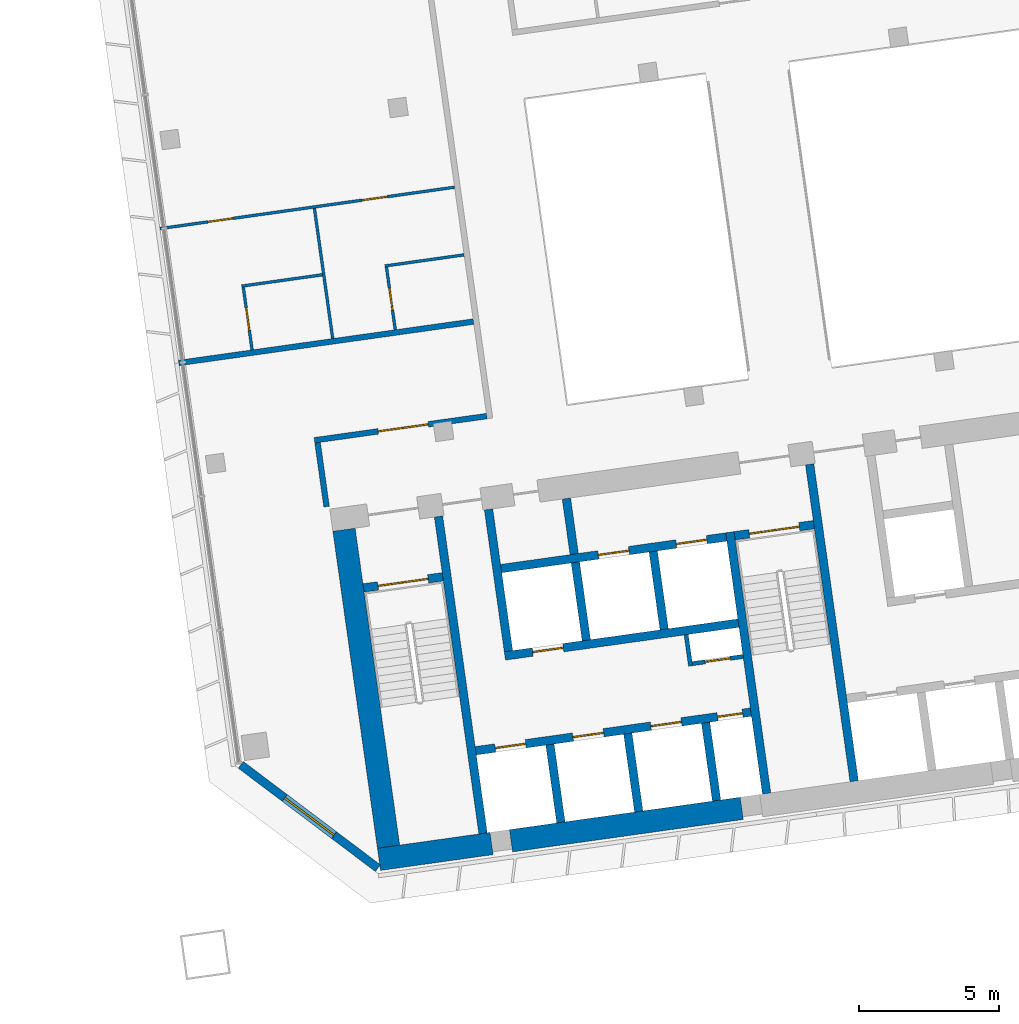
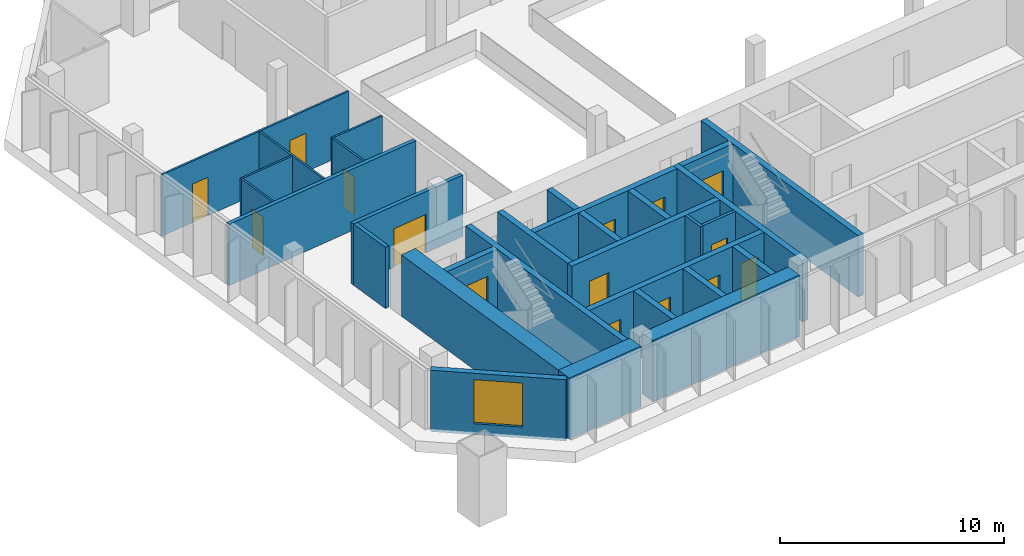
# One storey, part 18 of 25: 30 walls, 15 doors, 1 window, 16 openings.
"""IFC4 building model written with IfcOpenShell, lengths in metres."""

from ifc_helpers import new_model, si_unit, direction, frame, frame_2d, origin, place, context, subcontext, project, spatial, rectangle, extrude, material, layer, layer_set, type_object, element, fill, save


model = new_model("IFC4")

# Units and contexts
model_context = context("Model", 3, precision=1e-05, world=origin(), true_north=direction((0.0, 1.0)))
body_context = subcontext(model_context, "Body", "Model", "MODEL_VIEW")
ifc_project = project(units=[si_unit("LENGTHUNIT", "METRE"), si_unit("AREAUNIT", "SQUARE_METRE"), si_unit("VOLUMEUNIT", "CUBIC_METRE"), si_unit("PLANEANGLEUNIT", "RADIAN"), si_unit("MASSUNIT", "GRAM", prefix="KILO")], contexts=[model_context])

# Site, building, storey
site_placement = place(None, origin())
site = spatial("IfcSite", under=ifc_project, at=site_placement, CompositionType="ELEMENT")
building_placement = place(site_placement, origin())
building = spatial("IfcBuilding", under=site, at=building_placement, Name="Mirante Cascada Hotel Towers", CompositionType="ELEMENT")
storey_placement = place(building_placement, frame((0.0, 0.0, 129.1)))
storey = spatial("IfcBuildingStorey", under=building, at=storey_placement, Name="L29", CompositionType="ELEMENT", Elevation=129.1)

# Wall, opening, door
ifc_material_1 = material(Name="Fire-rated plasterboard on metal studs")
ifc_layer_1 = layer(ifc_material_1, 0.2)
ifc_layer_set_1 = layer_set([ifc_layer_1], Name="Compartment wall 200 EI 120")
wall_type_1 = type_object("IfcWallType", Name="Compartment wall 200 EI 120", PredefinedType="PARTITIONING", material=ifc_layer_set_1)
wall_1_placement = place(storey_placement, frame((40.97, -3.8917, 0.0), z_axis=(0.0, 0.0, 1.0), x_axis=(-0.9902695, -0.1391629, 0.0)))
wall_1 = element("IfcWall", 1, at=wall_1_placement, inside=storey, type_object=wall_type_1, Name="Wall 2-L29-03", PredefinedType="PARTITIONING", context=body_context, shape_type="SweptSolid", body=[
    extrude(rectangle(XDim=6.1999, YDim=0.2, at=frame_2d((3.1, 0.0))), origin(), (0.0, 0.0, 1.0), 3.35),
])
opening_1_placement = place(wall_1_placement, frame((2.1, 0.0, 0.0)))
opening_1 = element("IfcOpeningElement", 2, at=opening_1_placement, cuts=wall_1, Name="Opening D2-L29-01", PredefinedType="OPENING", context=body_context, shape_type="SweptSolid", body=[
    extrude(rectangle(XDim=1.8, YDim=2.1, at=frame_2d((0.9, 1.05))), frame((0.0, 0.1, 0.0), z_axis=(0.0, -1.0, 0.0), x_axis=(1.0, 0.0, 0.0)), (0.0, 0.0, 1.0), 0.2),
])
ifc_material_2 = material(Name="Fire-rated timber door leaf", Category="wood")
door_type_1 = type_object("IfcDoorType", Name="Suite double door DG2 1800x2100 EI 60", OperationType="DOUBLE_DOOR_SINGLE_SWING", PredefinedType="DOOR", material=ifc_material_2)
door_1_placement = place(opening_1_placement, origin())
door_1 = element("IfcDoor", 3, at=door_1_placement, inside=storey, type_object=door_type_1, Name="Door D2-L29-01", OperationType="DOUBLE_DOOR_SINGLE_SWING", OverallHeight=2.1, OverallWidth=1.8, PredefinedType="DOOR", context=body_context, shape_type="SweptSolid", body=[
    extrude(rectangle(XDim=0.895, YDim=2.1, at=frame_2d((0.4475, 1.05))), frame((0.0, 0.025, 0.0), z_axis=(0.0, -1.0, 0.0), x_axis=(1.0, 0.0, 0.0)), (0.0, 0.0, 1.0), 0.05),
    extrude(rectangle(XDim=0.895, YDim=2.1, at=frame_2d((1.3525, 1.05))), frame((0.0, 0.025, 0.0), z_axis=(0.0, -1.0, 0.0), x_axis=(1.0, 0.0, 0.0)), (0.0, 0.0, 1.0), 0.05),
])
fill(opening_1, door_1)

# Walls
wall_2_placement = place(storey_placement, frame((30.0, -2.0, 0.0), z_axis=(0.0, 0.0, 1.0), x_axis=(0.9902684, 0.1391704, 0.0)))
element("IfcWall", 4, at=wall_2_placement, inside=storey, type_object=wall_type_1, Name="Wall 2-L29-04", PredefinedType="PARTITIONING", context=body_context, shape_type="SweptSolid", body=[
    extrude(rectangle(XDim=10.6, YDim=0.2, at=frame_2d((5.3, 0.0))), origin(), (0.0, 0.0, 1.0), 3.35),
])
wall_3_placement = place(storey_placement, frame((35.2634, -7.1173, 0.0), z_axis=(0.0, 0.0, 1.0), x_axis=(-0.1391749, 0.9902678, 0.0)))
element("IfcWall", 5, at=wall_3_placement, inside=storey, type_object=wall_type_1, Name="Wall 2-L29-24", PredefinedType="PARTITIONING", context=body_context, shape_type="SweptSolid", body=[
    extrude(rectangle(XDim=2.3, YDim=0.2, at=frame_2d((1.15, 0.0))), origin(), (0.0, 0.0, 1.0), 3.35),
])
ifc_material_3 = material(Name="Masonry block", Category="masonry")
ifc_layer_2 = layer(ifc_material_3, 0.15)
ifc_layer_set_2 = layer_set([ifc_layer_2], Name="Core room partition 150 block EI 30")
wall_type_2 = type_object("IfcWallType", Name="Core room partition 150 block EI 30", PredefinedType="PARTITIONING", material=ifc_layer_set_2)
wall_4_placement = place(storey_placement, frame((48.2295, -12.793, 0.0), z_axis=(0.0, 0.0, 1.0), x_axis=(-0.1391935, 0.9902652, 0.0)))
element("IfcWall", 6, at=wall_4_placement, inside=storey, type_object=wall_type_2, Name="Core wall partition T2 L29 2", PredefinedType="PARTITIONING", context=body_context, shape_type="SweptSolid", body=[
    extrude(rectangle(XDim=1.1251, YDim=0.15, at=frame_2d((0.5626, 0.0))), origin(), (0.0, 0.0, 1.0), 3.35),
])

# Wall, opening, door
wall_5_placement = place(storey_placement, frame((48.2933, -12.7083, 0.0), z_axis=(0.0, 0.0, 1.0), x_axis=(0.990268, 0.1391734, 0.0)))
wall_5 = element("IfcWall", 7, at=wall_5_placement, inside=storey, type_object=wall_type_2, Name="Core wall partition T2 L29 3", PredefinedType="PARTITIONING", context=body_context, shape_type="SweptSolid", body=[
    extrude(rectangle(XDim=1.8251, YDim=0.15, at=frame_2d((0.9126, 0.0))), origin(), (0.0, 0.0, 1.0), 3.35),
])
opening_2_placement = place(wall_5_placement, frame((0.4625, 0.0, 0.0)))
opening_2 = element("IfcOpeningElement", 8, at=opening_2_placement, cuts=wall_5, Name="Opening D2-29-C23", PredefinedType="OPENING", context=body_context, shape_type="SweptSolid", body=[
    extrude(rectangle(XDim=0.9, YDim=2.1, at=frame_2d((0.45, 1.05))), frame((0.0, 0.075, 0.0), z_axis=(0.0, -1.0, 0.0), x_axis=(1.0, 0.0, 0.0)), (0.0, 0.0, 1.0), 0.15),
])
ifc_material_4 = material(Name="Hollow metal fire door leaf")
door_type_2 = type_object("IfcDoorType", Name="Fire door 900x2100 FD60", OperationType="NOTDEFINED", PredefinedType="DOOR", material=ifc_material_4)
door_2_placement = place(opening_2_placement, frame((0.9, 0.0, 0.0), z_axis=(0.0, 0.0, 1.0), x_axis=(-1.0, 0.0, 0.0)))
door_2 = element("IfcDoor", 9, at=door_2_placement, inside=storey, type_object=door_type_2, Name="Riser door T2 L29 23", OperationType="SINGLE_SWING_RIGHT", OverallHeight=2.1, OverallWidth=0.9, PredefinedType="DOOR", context=body_context, shape_type="SweptSolid", body=[
    extrude(rectangle(XDim=0.9, YDim=2.1, at=frame_2d((0.45, 1.05))), frame((0.0, 0.025, 0.0), z_axis=(0.0, -1.0, 0.0), x_axis=(1.0, 0.0, 0.0)), (0.0, 0.0, 1.0), 0.05),
])
fill(opening_2, door_2)

# Walls
ifc_material_5 = material(Name="Masonry block", Category="masonry")
ifc_layer_3 = layer(ifc_material_5, 0.3)
ifc_layer_set_3 = layer_set([ifc_layer_3], Name="Core wall 300 block EI 120")
wall_type_3 = type_object("IfcWallType", Name="Core wall 300 block EI 120", PredefinedType="PARTITIONING", material=ifc_layer_set_3)
wall_6_placement = place(storey_placement, frame((44.0843, -8.8061, 0.0), z_axis=(0.0, 0.0, 1.0), x_axis=(-0.1391951, 0.990265, 0.0)))
element("IfcWall", 10, at=wall_6_placement, inside=storey, type_object=wall_type_3, Name="Core wall partition T2 L29 1", PredefinedType="PARTITIONING", context=body_context, shape_type="SweptSolid", body=[
    extrude(rectangle(XDim=2.0001, YDim=0.3, at=frame_2d((1.0001, 0.0))), origin(), (0.0, 0.0, 1.0), 3.35),
])
ifc_material_6 = material(Name="Plasterboard on metal studs")
ifc_layer_4 = layer(ifc_material_6, 0.1)
ifc_layer_set_4 = layer_set([ifc_layer_4], Name="Partition 100")
wall_type_4 = type_object("IfcWallType", Name="Partition 100", PredefinedType="PARTITIONING", material=ifc_layer_set_4)
wall_7_placement = place(storey_placement, frame((35.1125, 1.1421, 0.0), z_axis=(0.0, 0.0, 1.0), x_axis=(-0.9902683, -0.1391714, 0.0)))
element("IfcWall", 11, at=wall_7_placement, inside=storey, type_object=wall_type_4, Name="Wall 2-L29-05", PredefinedType="PARTITIONING", context=body_context, shape_type="SweptSolid", body=[
    extrude(rectangle(XDim=2.9, YDim=0.1, at=frame_2d((1.45, 0.0))), origin(), (0.0, 0.0, 1.0), 3.35),
])
wall_8_placement = place(storey_placement, frame((37.3406, 1.4552, 0.0), z_axis=(0.0, 0.0, 1.0), x_axis=(0.9902649, 0.1391957, 0.0)))
element("IfcWall", 12, at=wall_8_placement, inside=storey, type_object=wall_type_4, Name="Wall 2-L29-06", PredefinedType="PARTITIONING", context=body_context, shape_type="SweptSolid", body=[
    extrude(rectangle(XDim=2.8499, YDim=0.1, at=frame_2d((1.425, 0.0))), origin(), (0.0, 0.0, 1.0), 3.35),
])

# Wall, openings, doors
wall_9_placement = place(storey_placement, frame((39.8242, 4.2615, 0.0), z_axis=(0.0, 0.0, 1.0), x_axis=(-0.9902686, -0.1391691, 0.0)))
wall_9 = element("IfcWall", 13, at=wall_9_placement, inside=storey, type_object=wall_type_4, Name="Wall 2-L29-07", PredefinedType="PARTITIONING", context=body_context, shape_type="SweptSolid", body=[
    extrude(rectangle(XDim=10.6001, YDim=0.1, at=frame_2d((5.3, 0.0))), origin(), (0.0, 0.0, 1.0), 3.35),
])
opening_3_placement = place(wall_9_placement, frame((7.975, 0.0, 0.0)))
opening_3 = element("IfcOpeningElement", 14, at=opening_3_placement, cuts=wall_9, Name="Opening D2-L29-02", PredefinedType="OPENING", context=body_context, shape_type="SweptSolid", body=[
    extrude(rectangle(XDim=0.9, YDim=2.1, at=frame_2d((0.45, 1.05))), frame((0.0, 0.05, 0.0), z_axis=(0.0, -1.0, 0.0), x_axis=(1.0, 0.0, 0.0)), (0.0, 0.0, 1.0), 0.1),
])
opening_4_placement = place(wall_9_placement, frame((2.425, 0.0, 0.0)))
opening_4 = element("IfcOpeningElement", 15, at=opening_4_placement, cuts=wall_9, Name="Opening D2-L29-03", PredefinedType="OPENING", context=body_context, shape_type="SweptSolid", body=[
    extrude(rectangle(XDim=0.9, YDim=2.1, at=frame_2d((0.45, 1.05))), frame((0.0, 0.05, 0.0), z_axis=(0.0, -1.0, 0.0), x_axis=(1.0, 0.0, 0.0)), (0.0, 0.0, 1.0), 0.1),
])
ifc_material_7 = material(Name="Timber door leaf", Category="wood")
door_type_3 = type_object("IfcDoorType", Name="Room door DG3 900x2100", OperationType="SINGLE_SWING_LEFT", PredefinedType="DOOR", material=ifc_material_7)
door_3_placement = place(opening_3_placement, frame((0.9, 0.0, 0.0), z_axis=(0.0, 0.0, 1.0), x_axis=(-1.0, 0.0, 0.0)))
door_3 = element("IfcDoor", 16, at=door_3_placement, inside=storey, type_object=door_type_3, Name="Door D2-L29-02", OperationType="SINGLE_SWING_RIGHT", OverallHeight=2.1, OverallWidth=0.9, PredefinedType="DOOR", context=body_context, shape_type="SweptSolid", body=[
    extrude(rectangle(XDim=0.9, YDim=2.1, at=frame_2d((0.45, 1.05))), frame((0.0, 0.025, 0.0), z_axis=(0.0, -1.0, 0.0), x_axis=(1.0, 0.0, 0.0)), (0.0, 0.0, 1.0), 0.05),
])
fill(opening_3, door_3)
door_4_placement = place(opening_4_placement, frame((0.9, 0.0, 0.0), z_axis=(0.0, 0.0, 1.0), x_axis=(-1.0, 0.0, 0.0)))
door_4 = element("IfcDoor", 17, at=door_4_placement, inside=storey, type_object=door_type_3, Name="Door D2-L29-03", OperationType="SINGLE_SWING_RIGHT", OverallHeight=2.1, OverallWidth=0.9, PredefinedType="DOOR", context=body_context, shape_type="SweptSolid", body=[
    extrude(rectangle(XDim=0.9, YDim=2.1, at=frame_2d((0.45, 1.05))), frame((0.0, 0.025, 0.0), z_axis=(0.0, -1.0, 0.0), x_axis=(1.0, 0.0, 0.0)), (0.0, 0.0, 1.0), 0.05),
])
fill(opening_4, door_4)

# Wall, opening, door
wall_10_placement = place(storey_placement, frame((32.2972, 0.6959, 0.0), z_axis=(0.0, 0.0, 1.0), x_axis=(0.1391561, -0.9902705, 0.0)))
wall_10 = element("IfcWall", 18, at=wall_10_placement, inside=storey, type_object=wall_type_4, Name="Wall 2-L29-23", PredefinedType="PARTITIONING", context=body_context, shape_type="SweptSolid", body=[
    extrude(rectangle(XDim=2.25, YDim=0.1, at=frame_2d((1.125, 0.0))), origin(), (0.0, 0.0, 1.0), 3.35),
])
opening_5_placement = place(wall_10_placement, frame((0.75, 0.0, 0.0)))
opening_5 = element("IfcOpeningElement", 19, at=opening_5_placement, cuts=wall_10, Name="Opening D2-L29-18", PredefinedType="OPENING", context=body_context, shape_type="SweptSolid", body=[
    extrude(rectangle(XDim=0.8, YDim=2.1, at=frame_2d((0.4, 1.05))), frame((0.0, 0.05, 0.0), z_axis=(0.0, -1.0, 0.0), x_axis=(1.0, 0.0, 0.0)), (0.0, 0.0, 1.0), 0.1),
])
ifc_material_8 = material(Name="Timber door leaf", Category="wood")
door_type_4 = type_object("IfcDoorType", Name="Bathroom door DG4 800x2100", OperationType="SINGLE_SWING_LEFT", PredefinedType="DOOR", material=ifc_material_8)
door_5_placement = place(opening_5_placement, origin())
door_5 = element("IfcDoor", 20, at=door_5_placement, inside=storey, type_object=door_type_4, Name="Door D2-L29-18", OperationType="SINGLE_SWING_LEFT", OverallHeight=2.1, OverallWidth=0.8, PredefinedType="DOOR", context=body_context, shape_type="SweptSolid", body=[
    extrude(rectangle(XDim=0.8, YDim=2.1, at=frame_2d((0.4, 1.05))), frame((0.0, 0.025, 0.0), z_axis=(0.0, -1.0, 0.0), x_axis=(1.0, 0.0, 0.0)), (0.0, 0.0, 1.0), 0.05),
])
fill(opening_5, door_5)

# Wall
wall_11_placement = place(storey_placement, frame((35.4821, -1.1286, 0.0), z_axis=(0.0, 0.0, 1.0), x_axis=(-0.139173, 0.9902681, 0.0)))
element("IfcWall", 21, at=wall_11_placement, inside=storey, type_object=wall_type_4, Name="Wall 2-L29-26", PredefinedType="PARTITIONING", context=body_context, shape_type="SweptSolid", body=[
    extrude(rectangle(XDim=4.6834, YDim=0.1, at=frame_2d((2.3417, 0.0))), origin(), (0.0, 0.0, 1.0), 3.35),
])

# Wall, opening, door
wall_12_placement = place(storey_placement, frame((37.397, 1.4127, 0.0), z_axis=(0.0, 0.0, 1.0), x_axis=(0.1391997, -0.9902643, 0.0)))
wall_12 = element("IfcWall", 22, at=wall_12_placement, inside=storey, type_object=wall_type_4, Name="Wall 2-L29-27", PredefinedType="PARTITIONING", context=body_context, shape_type="SweptSolid", body=[
    extrude(rectangle(XDim=2.25, YDim=0.1, at=frame_2d((1.125, 0.0))), origin(), (0.0, 0.0, 1.0), 3.35),
])
opening_6_placement = place(wall_12_placement, frame((0.75, 0.0, 0.0)))
opening_6 = element("IfcOpeningElement", 23, at=opening_6_placement, cuts=wall_12, Name="Opening D2-L29-20", PredefinedType="OPENING", context=body_context, shape_type="SweptSolid", body=[
    extrude(rectangle(XDim=0.8, YDim=2.1, at=frame_2d((0.4, 1.05))), frame((0.0, 0.05, 0.0), z_axis=(0.0, -1.0, 0.0), x_axis=(1.0, 0.0, 0.0)), (0.0, 0.0, 1.0), 0.1),
])
door_6_placement = place(opening_6_placement, origin())
door_6 = element("IfcDoor", 24, at=door_6_placement, inside=storey, type_object=door_type_4, Name="Door D2-L29-20", OperationType="SINGLE_SWING_LEFT", OverallHeight=2.1, OverallWidth=0.8, PredefinedType="DOOR", context=body_context, shape_type="SweptSolid", body=[
    extrude(rectangle(XDim=0.8, YDim=2.1, at=frame_2d((0.4, 1.05))), frame((0.0, 0.025, 0.0), z_axis=(0.0, -1.0, 0.0), x_axis=(1.0, 0.0, 0.0)), (0.0, 0.0, 1.0), 0.05),
])
fill(opening_6, door_6)

# Wall, opening, window
ifc_material_9 = material(Name="Precast concrete C40/50", Category="concrete")
ifc_layer_5 = layer(ifc_material_9, 0.3)
ifc_layer_set_5 = layer_set([ifc_layer_5], Name="Precast concrete C40/50 cladding wall 300")
wall_type_5 = type_object("IfcWallType", Name="Precast concrete C40/50 cladding wall 300", PredefinedType="STANDARD", material=ifc_layer_set_5)
wall_13_placement = place(storey_placement, frame((32.2074, -16.3138, 0.0), z_axis=(0.0, 0.0, 1.0), x_axis=(0.7986362, -0.6018141, 0.0)))
wall_13 = element("IfcWall", 25, at=wall_13_placement, inside=storey, type_object=wall_type_5, Name="Corner cladding wall T2 L29 inner rear", PredefinedType="STANDARD", context=body_context, shape_type="SweptSolid", body=[
    extrude(rectangle(XDim=6.1157, YDim=0.3, at=frame_2d((3.0578, 0.0))), origin(), (0.0, 0.0, 1.0), 3.35),
])
opening_7_placement = place(wall_13_placement, frame((1.9578, 0.0, 0.6)))
opening_7 = element("IfcOpeningElement", 26, at=opening_7_placement, cuts=wall_13, Name="Opening W2-29-06", PredefinedType="OPENING", context=body_context, shape_type="SweptSolid", body=[
    extrude(rectangle(XDim=2.2, YDim=2.4, at=frame_2d((1.1, 1.2))), frame((0.0, 0.15, 0.0), z_axis=(0.0, -1.0, 0.0), x_axis=(1.0, 0.0, 0.0)), (0.0, 0.0, 1.0), 0.3),
])
ifc_material_10 = material(Name="Aluminium frame with clear double glazing", Category="aluminium")
window_type = type_object("IfcWindowType", Name="Corner suite window 2200x2400", PartitioningType="DOUBLE_PANEL_VERTICAL", PredefinedType="WINDOW", material=ifc_material_10)
window_placement = place(opening_7_placement, origin())
window = element("IfcWindow", 27, at=window_placement, inside=storey, type_object=window_type, Name="Window W2-29-06", OverallHeight=2.4, OverallWidth=2.2, PartitioningType="SINGLE_PANEL", PredefinedType="WINDOW", context=body_context, shape_type="SweptSolid", body=[
    extrude(rectangle(XDim=2.2, YDim=2.4, at=frame_2d((1.1, 1.2))), frame((0.0, 0.03, 0.0), z_axis=(0.0, -1.0, 0.0), x_axis=(1.0, 0.0, 0.0)), (0.0, 0.0, 1.0), 0.06),
])
fill(opening_7, window)

# Walls
ifc_material_11 = material(Name="Concrete C50/60", Category="concrete")
ifc_layer_6 = layer(ifc_material_11, 0.3)
ifc_layer_set_6 = layer_set([ifc_layer_6], Name="RC core wall 300 C50/60")
wall_type_6 = type_object("IfcWallType", Name="RC core wall 300 C50/60", PredefinedType="SHEAR", material=ifc_layer_set_6)
wall_14_placement = place(storey_placement, frame((40.8373, -18.7548, 0.0), z_axis=(0.0, 0.0, 1.0), x_axis=(-0.1391749, 0.9902678, 0.0)))
element("IfcWall", 28, at=wall_14_placement, inside=storey, type_object=wall_type_6, Name="Core wall T2:L29:5", PredefinedType="SHEAR", context=body_context, shape_type="SweptSolid", body=[
    extrude(rectangle(XDim=11.4, YDim=0.3, at=frame_2d((5.7, 0.0))), origin(), (0.0, 0.0, 1.0), 3.35),
])
wall_15_placement = place(storey_placement, frame((50.938, -17.3352, 0.0), z_axis=(0.0, 0.0, 1.0), x_axis=(-0.1391706, 0.9902684, 0.0)))
element("IfcWall", 29, at=wall_15_placement, inside=storey, type_object=wall_type_6, Name="Core wall T2:L29:6", PredefinedType="SHEAR", context=body_context, shape_type="SweptSolid", body=[
    extrude(rectangle(XDim=9.4, YDim=0.3, at=frame_2d((4.7, 0.0))), origin(), (0.0, 0.0, 1.0), 3.35),
])
wall_16_placement = place(storey_placement, frame((54.0574, -16.8968, 0.0), z_axis=(0.0, 0.0, 1.0), x_axis=(-0.1391761, 0.9902677, 0.0)))
element("IfcWall", 30, at=wall_16_placement, inside=storey, type_object=wall_type_6, Name="Core wall T2:L29:7", PredefinedType="SHEAR", context=body_context, shape_type="SweptSolid", body=[
    extrude(rectangle(XDim=11.3999, YDim=0.3, at=frame_2d((5.7, 0.0))), origin(), (0.0, 0.0, 1.0), 3.35),
])

# Wall, opening, door
wall_17_placement = place(storey_placement, frame((36.5791, -10.0123, 0.0), z_axis=(0.0, 0.0, 1.0), x_axis=(0.9902704, 0.1391564, 0.0)))
wall_17 = element("IfcWall", 31, at=wall_17_placement, inside=storey, type_object=wall_type_6, Name="Core wall T2:L29:9", PredefinedType="SHEAR", context=body_context, shape_type="SweptSolid", body=[
    extrude(rectangle(XDim=2.85, YDim=0.3, at=frame_2d((1.425, 0.0))), origin(), (0.0, 0.0, 1.0), 3.35),
])
opening_8_placement = place(wall_17_placement, frame((0.525, 0.0, 0.0)))
opening_8 = element("IfcOpeningElement", 32, at=opening_8_placement, cuts=wall_17, Name="Opening D2-29-C13", PredefinedType="OPENING", context=body_context, shape_type="SweptSolid", body=[
    extrude(rectangle(XDim=1.8, YDim=2.1, at=frame_2d((0.9, 1.05))), frame((0.0, 0.15, 0.0), z_axis=(0.0, -1.0, 0.0), x_axis=(1.0, 0.0, 0.0)), (0.0, 0.0, 1.0), 0.3),
])
ifc_material_12 = material(Name="Hollow metal fire door leaf")
door_type_5 = type_object("IfcDoorType", Name="Double fire door 1800x2100 FD60", OperationType="DOUBLE_DOOR_SINGLE_SWING", PredefinedType="DOOR", material=ifc_material_12)
door_7_placement = place(opening_8_placement, frame((1.8, 0.0, 0.0), z_axis=(0.0, 0.0, 1.0), x_axis=(-1.0, 0.0, 0.0)))
door_7 = element("IfcDoor", 33, at=door_7_placement, inside=storey, type_object=door_type_5, Name="Stair door T2 L29 13", OperationType="DOUBLE_DOOR_SINGLE_SWING", OverallHeight=2.1, OverallWidth=1.8, PredefinedType="DOOR", context=body_context, shape_type="SweptSolid", body=[
    extrude(rectangle(XDim=0.895, YDim=2.1, at=frame_2d((0.4475, 1.05))), frame((0.0, 0.025, 0.0), z_axis=(0.0, -1.0, 0.0), x_axis=(1.0, 0.0, 0.0)), (0.0, 0.0, 1.0), 0.05),
    extrude(rectangle(XDim=0.895, YDim=2.1, at=frame_2d((1.3525, 1.05))), frame((0.0, 0.025, 0.0), z_axis=(0.0, -1.0, 0.0), x_axis=(1.0, 0.0, 0.0)), (0.0, 0.0, 1.0), 0.05),
])
fill(opening_8, door_7)

wall_18_placement = place(storey_placement, frame((49.7992, -8.1544, 0.0), z_axis=(0.0, 0.0, 1.0), x_axis=(0.9902656, 0.1391909, 0.0)))
wall_18 = element("IfcWall", 34, at=wall_18_placement, inside=storey, type_object=wall_type_6, Name="Core wall T2:L29:10", PredefinedType="SHEAR", context=body_context, shape_type="SweptSolid", body=[
    extrude(rectangle(XDim=2.85, YDim=0.3, at=frame_2d((1.425, 0.0))), origin(), (0.0, 0.0, 1.0), 3.35),
])
opening_9_placement = place(wall_18_placement, frame((0.525, 0.0, 0.0)))
opening_9 = element("IfcOpeningElement", 35, at=opening_9_placement, cuts=wall_18, Name="Opening D2-29-C15", PredefinedType="OPENING", context=body_context, shape_type="SweptSolid", body=[
    extrude(rectangle(XDim=1.8, YDim=2.1, at=frame_2d((0.9, 1.05))), frame((0.0, 0.15, 0.0), z_axis=(0.0, -1.0, 0.0), x_axis=(1.0, 0.0, 0.0)), (0.0, 0.0, 1.0), 0.3),
])
door_8_placement = place(opening_9_placement, frame((1.8, 0.0, 0.0), z_axis=(0.0, 0.0, 1.0), x_axis=(-1.0, 0.0, 0.0)))
door_8 = element("IfcDoor", 36, at=door_8_placement, inside=storey, type_object=door_type_5, Name="Stair door T2 L29 15", OperationType="DOUBLE_DOOR_SINGLE_SWING", OverallHeight=2.1, OverallWidth=1.8, PredefinedType="DOOR", context=body_context, shape_type="SweptSolid", body=[
    extrude(rectangle(XDim=0.895, YDim=2.1, at=frame_2d((0.4475, 1.05))), frame((0.0, 0.025, 0.0), z_axis=(0.0, -1.0, 0.0), x_axis=(1.0, 0.0, 0.0)), (0.0, 0.0, 1.0), 0.05),
    extrude(rectangle(XDim=0.895, YDim=2.1, at=frame_2d((1.3525, 1.05))), frame((0.0, 0.025, 0.0), z_axis=(0.0, -1.0, 0.0), x_axis=(1.0, 0.0, 0.0)), (0.0, 0.0, 1.0), 0.05),
])
fill(opening_9, door_8)

# Wall, openings, doors
wall_19_placement = place(storey_placement, frame((40.5753, -15.8126, 0.0), z_axis=(0.0, 0.0, 1.0), x_axis=(0.9902682, 0.1391725, 0.0)))
wall_19 = element("IfcWall", 37, at=wall_19_placement, inside=storey, type_object=wall_type_6, Name="Core wall T2:L29:12", PredefinedType="SHEAR", context=body_context, shape_type="SweptSolid", body=[
    extrude(rectangle(XDim=9.8999, YDim=0.3, at=frame_2d((4.95, 0.0))), origin(), (0.0, 0.0, 1.0), 3.35),
])
opening_10_placement = place(wall_19_placement, frame((0.7, 0.0, 0.0)))
opening_10 = element("IfcOpeningElement", 38, at=opening_10_placement, cuts=wall_19, Name="Opening LD", PredefinedType="OPENING", context=body_context, shape_type="SweptSolid", body=[
    extrude(rectangle(XDim=1.1, YDim=2.1, at=frame_2d((0.55, 1.05))), frame((0.0, 0.15, 0.0), z_axis=(0.0, -1.0, 0.0), x_axis=(1.0, 0.0, 0.0)), (0.0, 0.0, 1.0), 0.3),
])
opening_11_placement = place(wall_19_placement, frame((3.5, 0.0, 0.0)))
opening_11 = element("IfcOpeningElement", 39, at=opening_11_placement, cuts=wall_19, Name="Opening LD", PredefinedType="OPENING", context=body_context, shape_type="SweptSolid", body=[
    extrude(rectangle(XDim=1.1, YDim=2.1, at=frame_2d((0.55, 1.05))), frame((0.0, 0.15, 0.0), z_axis=(0.0, -1.0, 0.0), x_axis=(1.0, 0.0, 0.0)), (0.0, 0.0, 1.0), 0.3),
])
opening_12_placement = place(wall_19_placement, frame((6.3, 0.0, 0.0)))
opening_12 = element("IfcOpeningElement", 40, at=opening_12_placement, cuts=wall_19, Name="Opening LD", PredefinedType="OPENING", context=body_context, shape_type="SweptSolid", body=[
    extrude(rectangle(XDim=1.1, YDim=2.1, at=frame_2d((0.55, 1.05))), frame((0.0, 0.15, 0.0), z_axis=(0.0, -1.0, 0.0), x_axis=(1.0, 0.0, 0.0)), (0.0, 0.0, 1.0), 0.3),
])
opening_13_placement = place(wall_19_placement, frame((8.7, 0.0, 0.0)))
opening_13 = element("IfcOpeningElement", 41, at=opening_13_placement, cuts=wall_19, Name="Opening D2-29-C22", PredefinedType="OPENING", context=body_context, shape_type="SweptSolid", body=[
    extrude(rectangle(XDim=0.9, YDim=2.1, at=frame_2d((0.45, 1.05))), frame((0.0, 0.15, 0.0), z_axis=(0.0, -1.0, 0.0), x_axis=(1.0, 0.0, 0.0)), (0.0, 0.0, 1.0), 0.3),
])
door_9_placement = place(opening_13_placement, frame((0.9, 0.0, 0.0), z_axis=(0.0, 0.0, 1.0), x_axis=(-1.0, 0.0, 0.0)))
door_9 = element("IfcDoor", 42, at=door_9_placement, inside=storey, type_object=door_type_2, Name="Riser door T2 L29 22", OperationType="SINGLE_SWING_RIGHT", OverallHeight=2.1, OverallWidth=0.9, PredefinedType="DOOR", context=body_context, shape_type="SweptSolid", body=[
    extrude(rectangle(XDim=0.9, YDim=2.1, at=frame_2d((0.45, 1.05))), frame((0.0, 0.025, 0.0), z_axis=(0.0, -1.0, 0.0), x_axis=(1.0, 0.0, 0.0)), (0.0, 0.0, 1.0), 0.05),
])
fill(opening_13, door_9)
ifc_material_13 = material(Name="Stainless steel", Category="steel")
door_type_6 = type_object("IfcDoorType", Name="Lift landing door 1100x2100 EI 120", OperationType="DOUBLE_DOOR_SLIDING", PredefinedType="DOOR", material=ifc_material_13)
door_10_placement = place(opening_10_placement, origin())
door_10 = element("IfcDoor", 43, at=door_10_placement, inside=storey, type_object=door_type_6, Name="Lift landing door HR2-1 L29", OperationType="DOUBLE_DOOR_SLIDING", OverallHeight=2.1, OverallWidth=1.1, PredefinedType="DOOR", context=body_context, shape_type="SweptSolid", body=[
    extrude(rectangle(XDim=0.545, YDim=2.1, at=frame_2d((0.2725, 1.05))), frame((0.0, 0.025, 0.0), z_axis=(0.0, -1.0, 0.0), x_axis=(1.0, 0.0, 0.0)), (0.0, 0.0, 1.0), 0.05),
    extrude(rectangle(XDim=0.545, YDim=2.1, at=frame_2d((0.8275, 1.05))), frame((0.0, 0.025, 0.0), z_axis=(0.0, -1.0, 0.0), x_axis=(1.0, 0.0, 0.0)), (0.0, 0.0, 1.0), 0.05),
])
fill(opening_10, door_10)
door_11_placement = place(opening_11_placement, origin())
door_11 = element("IfcDoor", 44, at=door_11_placement, inside=storey, type_object=door_type_6, Name="Lift landing door HR2-2 L29", OperationType="DOUBLE_DOOR_SLIDING", OverallHeight=2.1, OverallWidth=1.1, PredefinedType="DOOR", context=body_context, shape_type="SweptSolid", body=[
    extrude(rectangle(XDim=0.545, YDim=2.1, at=frame_2d((0.2725, 1.05))), frame((0.0, 0.025, 0.0), z_axis=(0.0, -1.0, 0.0), x_axis=(1.0, 0.0, 0.0)), (0.0, 0.0, 1.0), 0.05),
    extrude(rectangle(XDim=0.545, YDim=2.1, at=frame_2d((0.8275, 1.05))), frame((0.0, 0.025, 0.0), z_axis=(0.0, -1.0, 0.0), x_axis=(1.0, 0.0, 0.0)), (0.0, 0.0, 1.0), 0.05),
])
fill(opening_11, door_11)
door_12_placement = place(opening_12_placement, origin())
door_12 = element("IfcDoor", 45, at=door_12_placement, inside=storey, type_object=door_type_6, Name="Lift landing door HR2-3 L29", OperationType="DOUBLE_DOOR_SLIDING", OverallHeight=2.1, OverallWidth=1.1, PredefinedType="DOOR", context=body_context, shape_type="SweptSolid", body=[
    extrude(rectangle(XDim=0.545, YDim=2.1, at=frame_2d((0.2725, 1.05))), frame((0.0, 0.025, 0.0), z_axis=(0.0, -1.0, 0.0), x_axis=(1.0, 0.0, 0.0)), (0.0, 0.0, 1.0), 0.05),
    extrude(rectangle(XDim=0.545, YDim=2.1, at=frame_2d((0.8275, 1.05))), frame((0.0, 0.025, 0.0), z_axis=(0.0, -1.0, 0.0), x_axis=(1.0, 0.0, 0.0)), (0.0, 0.0, 1.0), 0.05),
])
fill(opening_12, door_12)

# Wall, opening, door
wall_20_placement = place(storey_placement, frame((41.6153, -12.435, 0.0), z_axis=(0.0, 0.0, 1.0), x_axis=(0.9902691, 0.139166, 0.0)))
wall_20 = element("IfcWall", 46, at=wall_20_placement, inside=storey, type_object=wall_type_6, Name="Core wall T2:L29:13", PredefinedType="SHEAR", context=body_context, shape_type="SweptSolid", body=[
    extrude(rectangle(XDim=8.4, YDim=0.3, at=frame_2d((4.2, 0.0))), origin(), (0.0, 0.0, 1.0), 3.35),
])
opening_14_placement = place(wall_20_placement, frame((1.0, 0.0, 0.0)))
opening_14 = element("IfcOpeningElement", 47, at=opening_14_placement, cuts=wall_20, Name="Opening LD", PredefinedType="OPENING", context=body_context, shape_type="SweptSolid", body=[
    extrude(rectangle(XDim=1.1, YDim=2.1, at=frame_2d((0.55, 1.05))), frame((0.0, 0.15, 0.0), z_axis=(0.0, -1.0, 0.0), x_axis=(1.0, 0.0, 0.0)), (0.0, 0.0, 1.0), 0.3),
])
door_13_placement = place(opening_14_placement, origin())
door_13 = element("IfcDoor", 48, at=door_13_placement, inside=storey, type_object=door_type_6, Name="Lift landing door HR2-4 L29", OperationType="DOUBLE_DOOR_SLIDING", OverallHeight=2.1, OverallWidth=1.1, PredefinedType="DOOR", context=body_context, shape_type="SweptSolid", body=[
    extrude(rectangle(XDim=0.545, YDim=2.1, at=frame_2d((0.2725, 1.05))), frame((0.0, 0.025, 0.0), z_axis=(0.0, -1.0, 0.0), x_axis=(1.0, 0.0, 0.0)), (0.0, 0.0, 1.0), 0.05),
    extrude(rectangle(XDim=0.545, YDim=2.1, at=frame_2d((0.8275, 1.05))), frame((0.0, 0.025, 0.0), z_axis=(0.0, -1.0, 0.0), x_axis=(1.0, 0.0, 0.0)), (0.0, 0.0, 1.0), 0.05),
])
fill(opening_14, door_13)

# Wall, openings, doors
wall_21_placement = place(storey_placement, frame((41.481, -9.3234, 0.0), z_axis=(0.0, 0.0, 1.0), x_axis=(0.9902679, 0.1391741, 0.0)))
wall_21 = element("IfcWall", 49, at=wall_21_placement, inside=storey, type_object=wall_type_6, Name="Core wall T2:L29:14", PredefinedType="SHEAR", context=body_context, shape_type="SweptSolid", body=[
    extrude(rectangle(XDim=8.0999, YDim=0.3, at=frame_2d((4.05, 0.0))), origin(), (0.0, 0.0, 1.0), 3.35),
])
opening_15_placement = place(wall_21_placement, frame((3.5, 0.0, 0.0)))
opening_15 = element("IfcOpeningElement", 50, at=opening_15_placement, cuts=wall_21, Name="Opening LD", PredefinedType="OPENING", context=body_context, shape_type="SweptSolid", body=[
    extrude(rectangle(XDim=1.1, YDim=2.1, at=frame_2d((0.55, 1.05))), frame((0.0, 0.15, 0.0), z_axis=(0.0, -1.0, 0.0), x_axis=(1.0, 0.0, 0.0)), (0.0, 0.0, 1.0), 0.3),
])
opening_16_placement = place(wall_21_placement, frame((6.3, 0.0, 0.0)))
opening_16 = element("IfcOpeningElement", 51, at=opening_16_placement, cuts=wall_21, Name="Opening LD", PredefinedType="OPENING", context=body_context, shape_type="SweptSolid", body=[
    extrude(rectangle(XDim=1.1, YDim=2.1, at=frame_2d((0.55, 1.05))), frame((0.0, 0.15, 0.0), z_axis=(0.0, -1.0, 0.0), x_axis=(1.0, 0.0, 0.0)), (0.0, 0.0, 1.0), 0.3),
])
door_14_placement = place(opening_15_placement, origin())
door_14 = element("IfcDoor", 52, at=door_14_placement, inside=storey, type_object=door_type_6, Name="Lift landing door FF3 L29", OperationType="DOUBLE_DOOR_SLIDING", OverallHeight=2.1, OverallWidth=1.1, PredefinedType="DOOR", context=body_context, shape_type="SweptSolid", body=[
    extrude(rectangle(XDim=0.545, YDim=2.1, at=frame_2d((0.2725, 1.05))), frame((0.0, 0.025, 0.0), z_axis=(0.0, -1.0, 0.0), x_axis=(1.0, 0.0, 0.0)), (0.0, 0.0, 1.0), 0.05),
    extrude(rectangle(XDim=0.545, YDim=2.1, at=frame_2d((0.8275, 1.05))), frame((0.0, 0.025, 0.0), z_axis=(0.0, -1.0, 0.0), x_axis=(1.0, 0.0, 0.0)), (0.0, 0.0, 1.0), 0.05),
])
fill(opening_15, door_14)
door_15_placement = place(opening_16_placement, origin())
door_15 = element("IfcDoor", 53, at=door_15_placement, inside=storey, type_object=door_type_6, Name="Lift landing door FF4 L29", OperationType="DOUBLE_DOOR_SLIDING", OverallHeight=2.1, OverallWidth=1.1, PredefinedType="DOOR", context=body_context, shape_type="SweptSolid", body=[
    extrude(rectangle(XDim=0.545, YDim=2.1, at=frame_2d((0.2725, 1.05))), frame((0.0, 0.025, 0.0), z_axis=(0.0, -1.0, 0.0), x_axis=(1.0, 0.0, 0.0)), (0.0, 0.0, 1.0), 0.05),
    extrude(rectangle(XDim=0.545, YDim=2.1, at=frame_2d((0.8275, 1.05))), frame((0.0, 0.025, 0.0), z_axis=(0.0, -1.0, 0.0), x_axis=(1.0, 0.0, 0.0)), (0.0, 0.0, 1.0), 0.05),
])
fill(opening_16, door_15)

# Walls
wall_22_placement = place(storey_placement, frame((43.61, -18.3651, 0.0), z_axis=(0.0, 0.0, 1.0), x_axis=(-0.1391459, 0.9902719, 0.0)))
element("IfcWall", 54, at=wall_22_placement, inside=storey, type_object=wall_type_6, Name="Core wall T2:L29:15", PredefinedType="SHEAR", context=body_context, shape_type="SweptSolid", body=[
    extrude(rectangle(XDim=2.7999, YDim=0.3, at=frame_2d((1.4, 0.0))), origin(), (0.0, 0.0, 1.0), 3.35),
])
wall_23_placement = place(storey_placement, frame((46.3828, -17.9754, 0.0), z_axis=(0.0, 0.0, 1.0), x_axis=(-0.139181, 0.990267, 0.0)))
element("IfcWall", 55, at=wall_23_placement, inside=storey, type_object=wall_type_6, Name="Core wall T2:L29:16", PredefinedType="SHEAR", context=body_context, shape_type="SweptSolid", body=[
    extrude(rectangle(XDim=2.8, YDim=0.3, at=frame_2d((1.4, 0.0))), origin(), (0.0, 0.0, 1.0), 3.35),
])
wall_24_placement = place(storey_placement, frame((49.1555, -17.5857, 0.0), z_axis=(0.0, 0.0, 1.0), x_axis=(-0.1391459, 0.9902719, 0.0)))
element("IfcWall", 56, at=wall_24_placement, inside=storey, type_object=wall_type_6, Name="Core wall T2:L29:17", PredefinedType="SHEAR", context=body_context, shape_type="SweptSolid", body=[
    extrude(rectangle(XDim=2.7999, YDim=0.3, at=frame_2d((1.4, 0.0))), origin(), (0.0, 0.0, 1.0), 3.35),
])
for number, where, z_axis, x_axis, name in (
    (57, (44.5157, -11.8759, 0.0), (0.0, 0.0, 1.0), (-0.139181, 0.990267, 0.0), "Core wall T2:L29:18"),
    (58, (47.2885, -11.4862, 0.0), (0.0, 0.0, 1.0), (-0.139181, 0.990267, 0.0), "Core wall T2:L29:19"),
):
    element("IfcWall", number, at=place(storey_placement, frame(where, z_axis=z_axis, x_axis=x_axis)), inside=storey, type_object=wall_type_6, Name=name, PredefinedType="SHEAR", context=body_context, shape_type="SweptSolid", body=[
        extrude(rectangle(XDim=2.8, YDim=0.3, at=frame_2d((1.4, 0.0))), origin(), (0.0, 0.0, 1.0), 3.35),
    ])
wall_25_placement = place(storey_placement, frame((41.743, -12.2656, 0.0), z_axis=(0.0, 0.0, 1.0), x_axis=(-0.1391755, 0.9902677, 0.0)))
element("IfcWall", 59, at=wall_25_placement, inside=storey, type_object=wall_type_6, Name="Core wall T2:L29:20", PredefinedType="SHEAR", context=body_context, shape_type="SweptSolid", body=[
    extrude(rectangle(XDim=5.1, YDim=0.3, at=frame_2d((2.55, 0.0))), origin(), (0.0, 0.0, 1.0), 3.35),
])
ifc_material_14 = material(Name="Concrete C50/60", Category="concrete")
ifc_layer_7 = layer(ifc_material_14, 0.8)
ifc_layer_set_7 = layer_set([ifc_layer_7], Name="RC core wall 800 C50/60")
wall_type_7 = type_object("IfcWallType", Name="RC core wall 800 C50/60", PredefinedType="SHEAR", material=ifc_layer_set_7)
wall_26_placement = place(storey_placement, frame((37.1299, -19.6798, 0.0), z_axis=(0.0, 0.0, 1.0), x_axis=(0.9902665, 0.1391845, 0.0)))
element("IfcWall", 60, at=wall_26_placement, inside=storey, type_object=wall_type_7, Name="Core wall T2:L29:1.1", PredefinedType="SHEAR", context=body_context, shape_type="SweptSolid", body=[
    extrude(rectangle(XDim=4.05, YDim=0.8, at=frame_2d((2.025, 0.0))), origin(), (0.0, 0.0, 1.0), 3.35),
])
wall_27_placement = place(storey_placement, frame((41.8337, -19.0187, 0.0), z_axis=(0.0, 0.0, 1.0), x_axis=(0.9902686, 0.1391692, 0.0)))
element("IfcWall", 61, at=wall_27_placement, inside=storey, type_object=wall_type_7, Name="Core wall T2:L29:1.2", PredefinedType="SHEAR", context=body_context, shape_type="SweptSolid", body=[
    extrude(rectangle(XDim=8.3, YDim=0.8, at=frame_2d((4.15, 0.0))), origin(), (0.0, 0.0, 1.0), 3.35),
])
wall_28_placement = place(storey_placement, frame((37.4704, -19.228, 0.0), z_axis=(0.0, 0.0, 1.0), x_axis=(-0.1391749, 0.9902678, 0.0)))
element("IfcWall", 62, at=wall_28_placement, inside=storey, type_object=wall_type_7, Name="Core wall T2:L29:3", PredefinedType="SHEAR", context=body_context, shape_type="SweptSolid", body=[
    extrude(rectangle(XDim=11.4, YDim=0.8, at=frame_2d((5.7, 0.0))), origin(), (0.0, 0.0, 1.0), 3.35),
])

save(model, "model.ifc")
